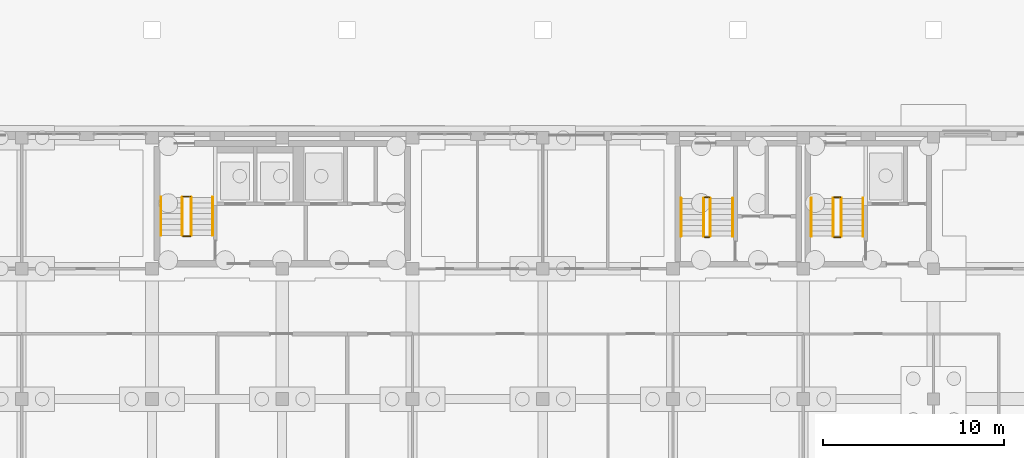
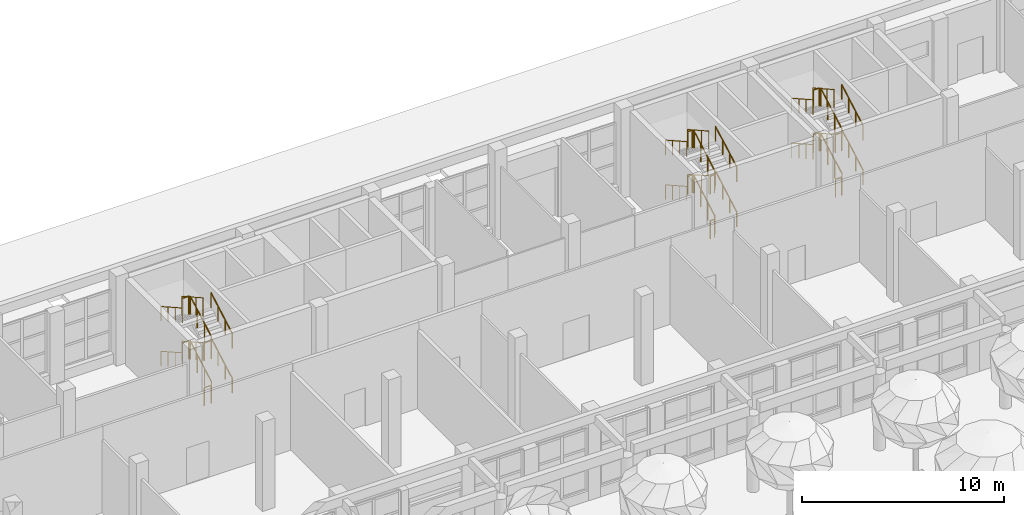
# One storey, part 72 of 80: 36 railings.
"""IFC4 building model written with IfcOpenShell, lengths in metres."""

import ifcopenshell
import ifcopenshell.guid

model = None  # the IFC model being written
_history = None  # IfcOwnerHistory: only IFC2X3 demands one
_inside = {}  # id of a spatial element -> (the spatial element, [elements in it])
_under = {}  # id of a project, library or spatial element -> (it, [spatial elements below it])
_declared = {}  # id of a project -> (the project, [libraries it declares])
_typed = {}  # id of a type object -> (the type object, [elements of that type])
_made_of = {}  # id of a material, layer set ... -> (it, [elements and type objects made of it])


def new_model(schema):
    """Start an empty IFC model of exactly this schema.

    Asked for "IFC4X3", IfcOpenShell would pick the latest addendum, in which some entities
    have other attributes; the version numbers below select the first issue.
    IFC2X3 requires an IfcOwnerHistory on every rooted entity: one is made here for all.
    """
    global model, _history
    if schema == "IFC4X3":
        model = ifcopenshell.file(schema_version=(4, 3, 0, 0))
    else:
        model = ifcopenshell.file(schema=schema)
    _inside.clear()
    _under.clear()
    _declared.clear()
    _typed.clear()
    _made_of.clear()
    _history = None
    if model.schema == "IFC2X3":
        org = make("IfcOrganization", Name="unknown")
        user = make(
            "IfcPersonAndOrganization",
            ThePerson=make("IfcPerson", FamilyName="unknown"),
            TheOrganization=org,
        )
        app = make(
            "IfcApplication",
            ApplicationDeveloper=org,
            Version="unknown",
            ApplicationFullName="unknown",
            ApplicationIdentifier="unknown",
        )
        _history = make(
            "IfcOwnerHistory",
            OwningUser=user,
            OwningApplication=app,
            ChangeAction="ADDED",
            CreationDate=0,
        )
    return model


def make(cls, **values):
    """One entity of the class cls with the attributes given. An attribute that is None is left unset."""
    return model.create_entity(
        cls, **{name: value for name, value in values.items() if value is not None}
    )


def rooted(cls, **values):
    """An entity with a GlobalId (a new one), such as an element, a storey or a relation."""
    return make(cls, GlobalId=ifcopenshell.guid.new(), OwnerHistory=_history, **values)


def si_unit(unit_type, name, prefix=None):
    """IfcSIUnit, for example si_unit("LENGTHUNIT", "METRE", prefix="MILLI")."""
    return make("IfcSIUnit", UnitType=unit_type, Prefix=prefix, Name=name)


def assignment(units):
    """IfcUnitAssignment: the units of a project."""
    return None if units is None else make("IfcUnitAssignment", Units=units)


def point(xyz):
    """IfcCartesianPoint."""
    return None if xyz is None else make("IfcCartesianPoint", Coordinates=xyz)


def direction(xyz):
    """IfcDirection."""
    return None if xyz is None else make("IfcDirection", DirectionRatios=xyz)


def frame(location, z_axis=None, x_axis=None):
    """IfcAxis2Placement3D, a coordinate frame: its origin and axes. An axis left out is left unset."""
    return make(
        "IfcAxis2Placement3D",
        Location=point(location),
        Axis=direction(z_axis),
        RefDirection=direction(x_axis),
    )


def frame_2d(location, x_axis=None):
    """IfcAxis2Placement2D, a coordinate frame in the plane: its origin and x axis."""
    return make(
        "IfcAxis2Placement2D", Location=point(location), RefDirection=direction(x_axis)
    )


def origin():
    """The frame at (0, 0, 0) with its axes left unset."""
    return frame((0.0, 0.0, 0.0))


def origin_2d():
    """The frame at (0, 0) in the plane with its x axis left unset."""
    return frame_2d((0.0, 0.0))


def place(relative_to, where):
    """IfcLocalPlacement: puts the frame where relative to a parent placement (None: the world)."""
    return make(
        "IfcLocalPlacement", PlacementRelTo=relative_to, RelativePlacement=where
    )


def context(
    kind, dimensions, precision=None, world=None, true_north=None, identifier=None
):
    """IfcGeometricRepresentationContext, for example the 3D "Model" context."""
    return make(
        "IfcGeometricRepresentationContext",
        ContextIdentifier=identifier,
        ContextType=kind,
        CoordinateSpaceDimension=dimensions,
        Precision=precision,
        WorldCoordinateSystem=world,
        TrueNorth=true_north,
    )


def subcontext(parent, identifier, kind, view, scale=None):
    """IfcGeometricRepresentationSubContext, for example "Body" below "Model"."""
    return make(
        "IfcGeometricRepresentationSubContext",
        ContextIdentifier=identifier,
        ContextType=kind,
        ParentContext=parent,
        TargetScale=scale,
        TargetView=view,
    )


def project(units=None, contexts=None):
    """IfcProject with its units and contexts."""
    return rooted(
        "IfcProject",
        Name="project",
        RepresentationContexts=contexts,
        UnitsInContext=assignment(units),
    )


def spatial(cls, under=None, at=None, **own):
    """A site, building, storey or space (cls), placed at a placement, below another one or the project."""
    s = rooted(cls, ObjectPlacement=at, **own)
    if under is not None:
        _under.setdefault(under.id(), (under, []))[1].append(s)
    return s


def profile(cls, at=None, kind="AREA", **sizes):
    """A parametric profile (cls). Its sizes go by their IFC names, for example OverallWidth=200.0."""
    return make(cls, ProfileType=kind, Position=at, **sizes)


def circle(**sizes):
    """IfcCircleProfileDef."""
    return profile("IfcCircleProfileDef", **sizes)


def extrude(swept, where, along, depth):
    """IfcExtrudedAreaSolid: the profile swept, set in the frame where, extruded along a direction by depth."""
    return make(
        "IfcExtrudedAreaSolid",
        SweptArea=swept,
        Position=where,
        ExtrudedDirection=direction(along),
        Depth=depth,
    )


def shape(context_of_items, identifier, shape_type, items):
    """IfcShapeRepresentation: the items that make up one representation, for example the "Body"."""
    return make(
        "IfcShapeRepresentation",
        ContextOfItems=context_of_items,
        RepresentationIdentifier=identifier,
        RepresentationType=shape_type,
        Items=items,
    )


def material(Name=None, Category=None):
    """IfcMaterial."""
    return make("IfcMaterial", Name=Name, Category=Category)


def made_of(thing, what):
    """Note that an element or type object is made of a material, layer set ...; save() writes the relation."""
    if what is not None:
        _made_of.setdefault(what.id(), (what, []))[1].append(thing)
    return thing


def type_object(cls, material=None, **own):
    """A type object (cls), such as IfcWallType, which elements share."""
    return made_of(rooted(cls, **own), material)


def element(
    cls,
    number,
    at=None,
    inside=None,
    cuts=None,
    type_object=None,
    material=None,
    context=None,
    identifier="Body",
    shape_type=None,
    held_by="IfcProductDefinitionShape",
    body=None,
    shapes=None,
    **own,
):
    """One element of the class cls, such as IfcWall. Its Tag is "e" and its number.

    at: its placement. inside: the storey or other place that contains it. cuts: it is an
    opening in that element (IfcRelVoidsElement). A single representation is given by context,
    identifier, shape_type and body (its items); several are given by shapes. held_by: the class
    of the entity that holds the representations. save() writes the other relations.
    """
    e = rooted(cls, Tag="e%d" % number, ObjectPlacement=at, **own)
    if body is not None:
        shapes = [shape(context, identifier, shape_type, body)]
    if shapes is not None:
        e.Representation = make(held_by, Representations=shapes)
    if inside is not None:
        _inside.setdefault(inside.id(), (inside, []))[1].append(e)
    if cuts is not None:
        rooted(
            "IfcRelVoidsElement", RelatingBuildingElement=cuts, RelatedOpeningElement=e
        )
    if type_object is not None:
        _typed.setdefault(type_object.id(), (type_object, []))[1].append(e)
    return made_of(e, material)


def aggregate(whole, parts):
    """IfcRelAggregates: a whole, such as a stair, and the parts it consists of."""
    return rooted("IfcRelAggregates", RelatingObject=whole, RelatedObjects=parts)


def save(model, path):
    """Write the relations noted so far, then the file.

    IfcRelAggregates (storeys below a building ...), IfcRelContainedInSpatialStructure (elements
    in a storey), IfcRelDefinesByType, IfcRelAssociatesMaterial and IfcRelDeclares: one each for
    every whole, place, type object, material and project.
    """
    for whole, parts in _under.values():
        aggregate(whole, parts)
    for where, things in _inside.values():
        rooted(
            "IfcRelContainedInSpatialStructure",
            RelatedElements=things,
            RelatingStructure=where,
        )
    for kind, things in _typed.values():
        rooted("IfcRelDefinesByType", RelatedObjects=things, RelatingType=kind)
    for what, things in _made_of.values():
        rooted("IfcRelAssociatesMaterial", RelatedObjects=things, RelatingMaterial=what)
    for by, libraries in _declared.values():
        rooted("IfcRelDeclares", RelatingContext=by, RelatedDefinitions=libraries)
    model.write(path)


model = new_model("IFC4")

# Units and contexts
model_context = context("Model", 3, precision=1e-05, world=origin(), true_north=direction((0.0, 1.0)))
body_context = subcontext(model_context, "Body", "Model", "MODEL_VIEW")
ifc_project = project(units=[si_unit("LENGTHUNIT", "METRE"), si_unit("AREAUNIT", "SQUARE_METRE"), si_unit("VOLUMEUNIT", "CUBIC_METRE"), si_unit("PLANEANGLEUNIT", "RADIAN"), si_unit("MASSUNIT", "GRAM", prefix="KILO")], contexts=[model_context])

# Site, building, storey
site_placement = place(None, origin())
site = spatial("IfcSite", under=ifc_project, at=site_placement, CompositionType="ELEMENT")
building_placement = place(site_placement, origin())
building = spatial("IfcBuilding", under=site, at=building_placement, Name="Ussher Court Research Institute", CompositionType="ELEMENT")
storey_placement = place(building_placement, origin())
storey = spatial("IfcBuildingStorey", under=building, at=storey_placement, Name="L00", CompositionType="ELEMENT", Elevation=0.0)

# Railings
ifc_material_1 = material(Name="Painted steel balustrade", Category="steel")
railing_type_1 = type_object("IfcRailingType", Name="Stair guard 1100 steel balustrade", PredefinedType="GUARDRAIL", material=ifc_material_1)
railing_1_placement = place(storey_placement, frame((84.300048828125, 85.0, 0.168701171875)))
element("IfcRailing", 1, at=railing_1_placement, inside=storey, type_object=railing_type_1, Name="L00 C1 stair guard 1", PredefinedType="GUARDRAIL", context=body_context, shape_type="SweptSolid", body=[
    extrude(circle(Radius=0.02392578125, at=origin_2d()), frame((0.0, 0.0, 1.076171875), z_axis=(0.0, 0.871559301308, 0.490290102189), x_axis=(-1.0, 0.0, 0.0)), (0.0, 0.0, 1.0), 2.40966796875),
    extrude(circle(Radius=0.02099609375, at=origin_2d()), origin(), (0.0, 0.0, 1.0), 1.052001953125),
    extrude(circle(Radius=0.02099609375, at=origin_2d()), frame((0.0, 0.699951171875, 0.393798828125)), (0.0, 0.0, 1.0), 1.052001953125),
    extrude(circle(Radius=0.02099609375, at=origin_2d()), frame((0.0, 1.400146484375, 0.78759765625)), (0.0, 0.0, 1.0), 1.052001953125),
    extrude(circle(Radius=0.02099609375, at=origin_2d()), frame((0.0, 2.10009765625, 1.181396484375)), (0.0, 0.0, 1.0), 1.052001953125),
])
railing_2_placement = place(storey_placement, frame((84.25, 87.14990234375, 1.35009765625)))
element("IfcRailing", 2, at=railing_2_placement, inside=storey, type_object=railing_type_1, Name="L00 C1 stair guard 2", PredefinedType="GUARDRAIL", context=body_context, shape_type="SweptSolid", body=[
    extrude(circle(Radius=0.02392578125, at=origin_2d()), frame((0.0, 0.0, 1.076171875), z_axis=(-1.0, 0.0, 0.0), x_axis=(0.0, -1.0, 0.0)), (0.0, 0.0, 1.0), 0.35009765625),
    extrude(circle(Radius=0.02099609375, at=origin_2d()), origin(), (0.0, 0.0, 1.0), 1.052001953125),
    extrude(circle(Radius=0.02099609375, at=origin_2d()), frame((-0.35009765625, 0.0, 0.0)), (0.0, 0.0, 1.0), 1.052001953125),
])
railing_3_placement = place(storey_placement, frame((83.85009765625, 87.10009765625, 1.518798828125)))
element("IfcRailing", 3, at=railing_3_placement, inside=storey, type_object=railing_type_1, Name="L00 C1 stair guard 3", PredefinedType="GUARDRAIL", context=body_context, shape_type="SweptSolid", body=[
    extrude(circle(Radius=0.02392578125, at=origin_2d()), frame((0.0, 0.0, 1.076171875), z_axis=(0.0, -0.871602596039, 0.490213131788), x_axis=(1.0, 0.0, 0.0)), (0.0, 0.0, 1.0), 2.409423828125),
    extrude(circle(Radius=0.02099609375, at=origin_2d()), origin(), (0.0, 0.0, 1.0), 1.052001953125),
    extrude(circle(Radius=0.02099609375, at=origin_2d()), frame((0.0, -0.699951171875, 0.393798828125)), (0.0, 0.0, 1.0), 1.052001953125),
    extrude(circle(Radius=0.02099609375, at=origin_2d()), frame((0.0, -1.400146484375, 0.787353515625)), (0.0, 0.0, 1.0), 1.052001953125),
    extrude(circle(Radius=0.02099609375, at=origin_2d()), frame((0.0, -2.10009765625, 1.18115234375)), (0.0, 0.0, 1.0), 1.052001953125),
])
railing_4_placement = place(storey_placement, frame((84.25, 84.949951171875, 2.699951171875)))
element("IfcRailing", 4, at=railing_4_placement, inside=storey, type_object=railing_type_1, Name="L00 C1 stair guard 4", PredefinedType="GUARDRAIL", context=body_context, shape_type="SweptSolid", body=[
    extrude(circle(Radius=0.02392578125, at=origin_2d()), frame((0.0, 0.0, 1.076171875), z_axis=(-1.0, 0.0, 0.0), x_axis=(0.0, -1.0, 0.0)), (0.0, 0.0, 1.0), 0.35009765625),
    extrude(circle(Radius=0.02099609375, at=origin_2d()), origin(), (0.0, 0.0, 1.0), 1.052001953125),
    extrude(circle(Radius=0.02099609375, at=origin_2d()), frame((-0.35009765625, 0.0, 0.0)), (0.0, 0.0, 1.0), 1.052001953125),
])
railing_5_placement = place(storey_placement, frame((84.300048828125, 85.0, 2.86865234375)))
element("IfcRailing", 5, at=railing_5_placement, inside=storey, type_object=railing_type_1, Name="L00 C1 stair guard 5", PredefinedType="GUARDRAIL", context=body_context, shape_type="SweptSolid", body=[
    extrude(circle(Radius=0.02392578125, at=origin_2d()), frame((0.0, 0.0, 1.076171875), z_axis=(0.0, 0.871559301308, 0.490290102189), x_axis=(-1.0, 0.0, 0.0)), (0.0, 0.0, 1.0), 2.40966796875),
    extrude(circle(Radius=0.02099609375, at=origin_2d()), origin(), (0.0, 0.0, 1.0), 1.052001953125),
    extrude(circle(Radius=0.02099609375, at=origin_2d()), frame((0.0, 0.699951171875, 0.393798828125)), (0.0, 0.0, 1.0), 1.052001953125),
    extrude(circle(Radius=0.02099609375, at=origin_2d()), frame((0.0, 1.400146484375, 0.78759765625)), (0.0, 0.0, 1.0), 1.052001953125),
    extrude(circle(Radius=0.02099609375, at=origin_2d()), frame((0.0, 2.10009765625, 1.181396484375)), (0.0, 0.0, 1.0), 1.052001953125),
])
railing_6_placement = place(storey_placement, frame((84.25, 87.14990234375, 4.050048828125)))
element("IfcRailing", 6, at=railing_6_placement, inside=storey, type_object=railing_type_1, Name="L00 C1 stair guard 6", PredefinedType="GUARDRAIL", context=body_context, shape_type="SweptSolid", body=[
    extrude(circle(Radius=0.02392578125, at=origin_2d()), frame((0.0, 0.0, 1.076171875), z_axis=(-1.0, 0.0, 0.0), x_axis=(0.0, -1.0, 0.0)), (0.0, 0.0, 1.0), 0.35009765625),
    extrude(circle(Radius=0.02099609375, at=origin_2d()), origin(), (0.0, 0.0, 1.0), 1.052001953125),
    extrude(circle(Radius=0.02099609375, at=origin_2d()), frame((-0.35009765625, 0.0, 0.0)), (0.0, 0.0, 1.0), 1.052001953125),
])
railing_7_placement = place(storey_placement, frame((83.85009765625, 87.10009765625, 4.21875)))
element("IfcRailing", 7, at=railing_7_placement, inside=storey, type_object=railing_type_1, Name="L00 C1 stair guard 7", PredefinedType="GUARDRAIL", context=body_context, shape_type="SweptSolid", body=[
    extrude(circle(Radius=0.02392578125, at=origin_2d()), frame((0.0, 0.0, 1.076171875), z_axis=(0.0, -0.871602596039, 0.490213131788), x_axis=(1.0, 0.0, 0.0)), (0.0, 0.0, 1.0), 2.409423828125),
    extrude(circle(Radius=0.02099609375, at=origin_2d()), origin(), (0.0, 0.0, 1.0), 1.052001953125),
    extrude(circle(Radius=0.02099609375, at=origin_2d()), frame((0.0, -0.699951171875, 0.393798828125)), (0.0, 0.0, 1.0), 1.052001953125),
    extrude(circle(Radius=0.02099609375, at=origin_2d()), frame((0.0, -1.400146484375, 0.787353515625)), (0.0, 0.0, 1.0), 1.052001953125),
    extrude(circle(Radius=0.02099609375, at=origin_2d()), frame((0.0, -2.10009765625, 1.18115234375)), (0.0, 0.0, 1.0), 1.052001953125),
])
railing_8_placement = place(storey_placement, frame((84.25, 84.949951171875, 0.0)))
element("IfcRailing", 8, at=railing_8_placement, inside=storey, type_object=railing_type_1, Name="L00 C1 stair guard 8", PredefinedType="GUARDRAIL", context=body_context, shape_type="SweptSolid", body=[
    extrude(circle(Radius=0.02392578125, at=origin_2d()), frame((0.0, 0.0, 1.076171875), z_axis=(-1.0, 0.0, 0.0), x_axis=(0.0, -1.0, 0.0)), (0.0, 0.0, 1.0), 0.35009765625),
    extrude(circle(Radius=0.02099609375, at=origin_2d()), origin(), (0.0, 0.0, 1.0), 1.052001953125),
    extrude(circle(Radius=0.02099609375, at=origin_2d()), frame((-0.35009765625, 0.0, 0.0)), (0.0, 0.0, 1.0), 1.052001953125),
])
railing_9_placement = place(storey_placement, frame((48.3701171875, 85.050048828125, 0.168701171875)))
element("IfcRailing", 9, at=railing_9_placement, inside=storey, type_object=railing_type_1, Name="L00 D2 stair guard 1", PredefinedType="GUARDRAIL", context=body_context, shape_type="SweptSolid", body=[
    extrude(circle(Radius=0.02392578125, at=origin_2d()), frame((0.0, 0.0, 1.076171875), z_axis=(0.0, 0.871534942205, 0.490333401387), x_axis=(-1.0, 0.0, 0.0)), (0.0, 0.0, 1.0), 2.409423828125),
    extrude(circle(Radius=0.02099609375, at=origin_2d()), origin(), (0.0, 0.0, 1.0), 1.052001953125),
    extrude(circle(Radius=0.02099609375, at=origin_2d()), frame((0.0, 0.699951171875, 0.393798828125)), (0.0, 0.0, 1.0), 1.052001953125),
    extrude(circle(Radius=0.02099609375, at=origin_2d()), frame((0.0, 1.39990234375, 0.78759765625)), (0.0, 0.0, 1.0), 1.052001953125),
    extrude(circle(Radius=0.02099609375, at=origin_2d()), frame((0.0, 2.099853515625, 1.181396484375)), (0.0, 0.0, 1.0), 1.052001953125),
])
railing_10_placement = place(storey_placement, frame((48.320068359375, 87.199951171875, 1.35009765625)))
element("IfcRailing", 10, at=railing_10_placement, inside=storey, type_object=railing_type_1, Name="L00 D2 stair guard 2", PredefinedType="GUARDRAIL", context=body_context, shape_type="SweptSolid", body=[
    extrude(circle(Radius=0.02392578125, at=origin_2d()), frame((0.0, 0.0, 1.076171875), z_axis=(-1.0, 0.0, 0.0), x_axis=(0.0, -1.0, 0.0)), (0.0, 0.0, 1.0), 0.39013671875),
    extrude(circle(Radius=0.02099609375, at=origin_2d()), origin(), (0.0, 0.0, 1.0), 1.052001953125),
    extrude(circle(Radius=0.02099609375, at=origin_2d()), frame((-0.39013671875, 0.0, 0.0)), (0.0, 0.0, 1.0), 1.052001953125),
])
railing_11_placement = place(storey_placement, frame((47.8798828125, 87.14990234375, 1.518798828125)))
element("IfcRailing", 11, at=railing_11_placement, inside=storey, type_object=railing_type_1, Name="L00 D2 stair guard 3", PredefinedType="GUARDRAIL", context=body_context, shape_type="SweptSolid", body=[
    extrude(circle(Radius=0.02392578125, at=origin_2d()), frame((0.0, 0.0, 1.076171875), z_axis=(0.0, -0.871578243375, 0.49025642849), x_axis=(1.0, 0.0, 0.0)), (0.0, 0.0, 1.0), 2.4091796875),
    extrude(circle(Radius=0.02099609375, at=origin_2d()), origin(), (0.0, 0.0, 1.0), 1.052001953125),
    extrude(circle(Radius=0.02099609375, at=origin_2d()), frame((0.0, -0.699951171875, 0.393798828125)), (0.0, 0.0, 1.0), 1.052001953125),
    extrude(circle(Radius=0.02099609375, at=origin_2d()), frame((0.0, -1.39990234375, 0.787353515625)), (0.0, 0.0, 1.0), 1.052001953125),
    extrude(circle(Radius=0.02099609375, at=origin_2d()), frame((0.0, -2.099853515625, 1.18115234375)), (0.0, 0.0, 1.0), 1.052001953125),
])
railing_12_placement = place(storey_placement, frame((48.320068359375, 85.0, 2.699951171875)))
element("IfcRailing", 12, at=railing_12_placement, inside=storey, type_object=railing_type_1, Name="L00 D2 stair guard 4", PredefinedType="GUARDRAIL", context=body_context, shape_type="SweptSolid", body=[
    extrude(circle(Radius=0.02392578125, at=origin_2d()), frame((0.0, 0.0, 1.076171875), z_axis=(-1.0, 0.0, 0.0), x_axis=(0.0, -1.0, 0.0)), (0.0, 0.0, 1.0), 0.39013671875),
    extrude(circle(Radius=0.02099609375, at=origin_2d()), origin(), (0.0, 0.0, 1.0), 1.052001953125),
    extrude(circle(Radius=0.02099609375, at=origin_2d()), frame((-0.39013671875, 0.0, 0.0)), (0.0, 0.0, 1.0), 1.052001953125),
])
railing_13_placement = place(storey_placement, frame((48.3701171875, 85.050048828125, 2.86865234375)))
element("IfcRailing", 13, at=railing_13_placement, inside=storey, type_object=railing_type_1, Name="L00 D2 stair guard 5", PredefinedType="GUARDRAIL", context=body_context, shape_type="SweptSolid", body=[
    extrude(circle(Radius=0.02392578125, at=origin_2d()), frame((0.0, 0.0, 1.076171875), z_axis=(0.0, 0.871534942205, 0.490333401387), x_axis=(-1.0, 0.0, 0.0)), (0.0, 0.0, 1.0), 2.409423828125),
    extrude(circle(Radius=0.02099609375, at=origin_2d()), origin(), (0.0, 0.0, 1.0), 1.052001953125),
    extrude(circle(Radius=0.02099609375, at=origin_2d()), frame((0.0, 0.699951171875, 0.393798828125)), (0.0, 0.0, 1.0), 1.052001953125),
    extrude(circle(Radius=0.02099609375, at=origin_2d()), frame((0.0, 1.39990234375, 0.78759765625)), (0.0, 0.0, 1.0), 1.052001953125),
    extrude(circle(Radius=0.02099609375, at=origin_2d()), frame((0.0, 2.099853515625, 1.181396484375)), (0.0, 0.0, 1.0), 1.052001953125),
])
railing_14_placement = place(storey_placement, frame((48.320068359375, 87.199951171875, 4.050048828125)))
element("IfcRailing", 14, at=railing_14_placement, inside=storey, type_object=railing_type_1, Name="L00 D2 stair guard 6", PredefinedType="GUARDRAIL", context=body_context, shape_type="SweptSolid", body=[
    extrude(circle(Radius=0.02392578125, at=origin_2d()), frame((0.0, 0.0, 1.076171875), z_axis=(-1.0, 0.0, 0.0), x_axis=(0.0, -1.0, 0.0)), (0.0, 0.0, 1.0), 0.39013671875),
    extrude(circle(Radius=0.02099609375, at=origin_2d()), origin(), (0.0, 0.0, 1.0), 1.052001953125),
    extrude(circle(Radius=0.02099609375, at=origin_2d()), frame((-0.39013671875, 0.0, 0.0)), (0.0, 0.0, 1.0), 1.052001953125),
])
railing_15_placement = place(storey_placement, frame((47.8798828125, 87.14990234375, 4.21875)))
element("IfcRailing", 15, at=railing_15_placement, inside=storey, type_object=railing_type_1, Name="L00 D2 stair guard 7", PredefinedType="GUARDRAIL", context=body_context, shape_type="SweptSolid", body=[
    extrude(circle(Radius=0.02392578125, at=origin_2d()), frame((0.0, 0.0, 1.076171875), z_axis=(0.0, -0.871578243375, 0.49025642849), x_axis=(1.0, 0.0, 0.0)), (0.0, 0.0, 1.0), 2.4091796875),
    extrude(circle(Radius=0.02099609375, at=origin_2d()), origin(), (0.0, 0.0, 1.0), 1.052001953125),
    extrude(circle(Radius=0.02099609375, at=origin_2d()), frame((0.0, -0.699951171875, 0.393798828125)), (0.0, 0.0, 1.0), 1.052001953125),
    extrude(circle(Radius=0.02099609375, at=origin_2d()), frame((0.0, -1.39990234375, 0.787353515625)), (0.0, 0.0, 1.0), 1.052001953125),
    extrude(circle(Radius=0.02099609375, at=origin_2d()), frame((0.0, -2.099853515625, 1.18115234375)), (0.0, 0.0, 1.0), 1.052001953125),
])
railing_16_placement = place(storey_placement, frame((48.320068359375, 85.0, 0.0)))
element("IfcRailing", 16, at=railing_16_placement, inside=storey, type_object=railing_type_1, Name="L00 D2 stair guard 8", PredefinedType="GUARDRAIL", context=body_context, shape_type="SweptSolid", body=[
    extrude(circle(Radius=0.02392578125, at=origin_2d()), frame((0.0, 0.0, 1.076171875), z_axis=(-1.0, 0.0, 0.0), x_axis=(0.0, -1.0, 0.0)), (0.0, 0.0, 1.0), 0.39013671875),
    extrude(circle(Radius=0.02099609375, at=origin_2d()), origin(), (0.0, 0.0, 1.0), 1.052001953125),
    extrude(circle(Radius=0.02099609375, at=origin_2d()), frame((-0.39013671875, 0.0, 0.0)), (0.0, 0.0, 1.0), 1.052001953125),
])
railing_17_placement = place(storey_placement, frame((77.050048828125, 85.0, 0.168701171875)))
element("IfcRailing", 17, at=railing_17_placement, inside=storey, type_object=railing_type_1, Name="L00 D3 stair guard 1", PredefinedType="GUARDRAIL", context=body_context, shape_type="SweptSolid", body=[
    extrude(circle(Radius=0.02392578125, at=origin_2d()), frame((0.0, 0.0, 1.076171875), z_axis=(0.0, 0.871559301308, 0.490290102189), x_axis=(-1.0, 0.0, 0.0)), (0.0, 0.0, 1.0), 2.40966796875),
    extrude(circle(Radius=0.02099609375, at=origin_2d()), origin(), (0.0, 0.0, 1.0), 1.052001953125),
    extrude(circle(Radius=0.02099609375, at=origin_2d()), frame((0.0, 0.699951171875, 0.393798828125)), (0.0, 0.0, 1.0), 1.052001953125),
    extrude(circle(Radius=0.02099609375, at=origin_2d()), frame((0.0, 1.400146484375, 0.78759765625)), (0.0, 0.0, 1.0), 1.052001953125),
    extrude(circle(Radius=0.02099609375, at=origin_2d()), frame((0.0, 2.10009765625, 1.181396484375)), (0.0, 0.0, 1.0), 1.052001953125),
])
railing_18_placement = place(storey_placement, frame((77.0, 87.14990234375, 1.35009765625)))
element("IfcRailing", 18, at=railing_18_placement, inside=storey, type_object=railing_type_1, Name="L00 D3 stair guard 2", PredefinedType="GUARDRAIL", context=body_context, shape_type="SweptSolid", body=[
    extrude(circle(Radius=0.02392578125, at=origin_2d()), frame((0.0, 0.0, 1.076171875), z_axis=(-1.0, 0.0, 0.0), x_axis=(0.0, -1.0, 0.0)), (0.0, 0.0, 1.0), 0.25),
    extrude(circle(Radius=0.02099609375, at=origin_2d()), origin(), (0.0, 0.0, 1.0), 1.052001953125),
    extrude(circle(Radius=0.02099609375, at=origin_2d()), frame((-0.25, 0.0, 0.0)), (0.0, 0.0, 1.0), 1.052001953125),
])
railing_19_placement = place(storey_placement, frame((76.699951171875, 87.10009765625, 1.518798828125)))
element("IfcRailing", 19, at=railing_19_placement, inside=storey, type_object=railing_type_1, Name="L00 D3 stair guard 3", PredefinedType="GUARDRAIL", context=body_context, shape_type="SweptSolid", body=[
    extrude(circle(Radius=0.02392578125, at=origin_2d()), frame((0.0, 0.0, 1.076171875), z_axis=(0.0, -0.871602596039, 0.490213131788), x_axis=(1.0, 0.0, 0.0)), (0.0, 0.0, 1.0), 2.409423828125),
    extrude(circle(Radius=0.02099609375, at=origin_2d()), origin(), (0.0, 0.0, 1.0), 1.052001953125),
    extrude(circle(Radius=0.02099609375, at=origin_2d()), frame((0.0, -0.699951171875, 0.393798828125)), (0.0, 0.0, 1.0), 1.052001953125),
    extrude(circle(Radius=0.02099609375, at=origin_2d()), frame((0.0, -1.400146484375, 0.787353515625)), (0.0, 0.0, 1.0), 1.052001953125),
    extrude(circle(Radius=0.02099609375, at=origin_2d()), frame((0.0, -2.10009765625, 1.18115234375)), (0.0, 0.0, 1.0), 1.052001953125),
])
railing_20_placement = place(storey_placement, frame((77.0, 84.949951171875, 2.699951171875)))
element("IfcRailing", 20, at=railing_20_placement, inside=storey, type_object=railing_type_1, Name="L00 D3 stair guard 4", PredefinedType="GUARDRAIL", context=body_context, shape_type="SweptSolid", body=[
    extrude(circle(Radius=0.02392578125, at=origin_2d()), frame((0.0, 0.0, 1.076171875), z_axis=(-1.0, 0.0, 0.0), x_axis=(0.0, -1.0, 0.0)), (0.0, 0.0, 1.0), 0.25),
    extrude(circle(Radius=0.02099609375, at=origin_2d()), origin(), (0.0, 0.0, 1.0), 1.052001953125),
    extrude(circle(Radius=0.02099609375, at=origin_2d()), frame((-0.25, 0.0, 0.0)), (0.0, 0.0, 1.0), 1.052001953125),
])
railing_21_placement = place(storey_placement, frame((77.050048828125, 85.0, 2.86865234375)))
element("IfcRailing", 21, at=railing_21_placement, inside=storey, type_object=railing_type_1, Name="L00 D3 stair guard 5", PredefinedType="GUARDRAIL", context=body_context, shape_type="SweptSolid", body=[
    extrude(circle(Radius=0.02392578125, at=origin_2d()), frame((0.0, 0.0, 1.076171875), z_axis=(0.0, 0.871559301308, 0.490290102189), x_axis=(-1.0, 0.0, 0.0)), (0.0, 0.0, 1.0), 2.40966796875),
    extrude(circle(Radius=0.02099609375, at=origin_2d()), origin(), (0.0, 0.0, 1.0), 1.052001953125),
    extrude(circle(Radius=0.02099609375, at=origin_2d()), frame((0.0, 0.699951171875, 0.393798828125)), (0.0, 0.0, 1.0), 1.052001953125),
    extrude(circle(Radius=0.02099609375, at=origin_2d()), frame((0.0, 1.400146484375, 0.78759765625)), (0.0, 0.0, 1.0), 1.052001953125),
    extrude(circle(Radius=0.02099609375, at=origin_2d()), frame((0.0, 2.10009765625, 1.181396484375)), (0.0, 0.0, 1.0), 1.052001953125),
])
railing_22_placement = place(storey_placement, frame((77.0, 87.14990234375, 4.050048828125)))
element("IfcRailing", 22, at=railing_22_placement, inside=storey, type_object=railing_type_1, Name="L00 D3 stair guard 6", PredefinedType="GUARDRAIL", context=body_context, shape_type="SweptSolid", body=[
    extrude(circle(Radius=0.02392578125, at=origin_2d()), frame((0.0, 0.0, 1.076171875), z_axis=(-1.0, 0.0, 0.0), x_axis=(0.0, -1.0, 0.0)), (0.0, 0.0, 1.0), 0.25),
    extrude(circle(Radius=0.02099609375, at=origin_2d()), origin(), (0.0, 0.0, 1.0), 1.052001953125),
    extrude(circle(Radius=0.02099609375, at=origin_2d()), frame((-0.25, 0.0, 0.0)), (0.0, 0.0, 1.0), 1.052001953125),
])
railing_23_placement = place(storey_placement, frame((76.699951171875, 87.10009765625, 4.21875)))
element("IfcRailing", 23, at=railing_23_placement, inside=storey, type_object=railing_type_1, Name="L00 D3 stair guard 7", PredefinedType="GUARDRAIL", context=body_context, shape_type="SweptSolid", body=[
    extrude(circle(Radius=0.02392578125, at=origin_2d()), frame((0.0, 0.0, 1.076171875), z_axis=(0.0, -0.871602596039, 0.490213131788), x_axis=(1.0, 0.0, 0.0)), (0.0, 0.0, 1.0), 2.409423828125),
    extrude(circle(Radius=0.02099609375, at=origin_2d()), origin(), (0.0, 0.0, 1.0), 1.052001953125),
    extrude(circle(Radius=0.02099609375, at=origin_2d()), frame((0.0, -0.699951171875, 0.393798828125)), (0.0, 0.0, 1.0), 1.052001953125),
    extrude(circle(Radius=0.02099609375, at=origin_2d()), frame((0.0, -1.400146484375, 0.787353515625)), (0.0, 0.0, 1.0), 1.052001953125),
    extrude(circle(Radius=0.02099609375, at=origin_2d()), frame((0.0, -2.10009765625, 1.18115234375)), (0.0, 0.0, 1.0), 1.052001953125),
])
railing_24_placement = place(storey_placement, frame((77.0, 84.949951171875, 0.0)))
element("IfcRailing", 24, at=railing_24_placement, inside=storey, type_object=railing_type_1, Name="L00 D3 stair guard 8", PredefinedType="GUARDRAIL", context=body_context, shape_type="SweptSolid", body=[
    extrude(circle(Radius=0.02392578125, at=origin_2d()), frame((0.0, 0.0, 1.076171875), z_axis=(-1.0, 0.0, 0.0), x_axis=(0.0, -1.0, 0.0)), (0.0, 0.0, 1.0), 0.25),
    extrude(circle(Radius=0.02099609375, at=origin_2d()), origin(), (0.0, 0.0, 1.0), 1.052001953125),
    extrude(circle(Radius=0.02099609375, at=origin_2d()), frame((-0.25, 0.0, 0.0)), (0.0, 0.0, 1.0), 1.052001953125),
])
ifc_material_2 = material(Name="Painted steel handrail", Category="steel")
railing_type_2 = type_object("IfcRailingType", Name="Stair handrail 900 steel", PredefinedType="HANDRAIL", material=ifc_material_2)
railing_25_placement = place(storey_placement, frame((85.5, 85.0, 0.168701171875)))
element("IfcRailing", 25, at=railing_25_placement, inside=storey, type_object=railing_type_2, Name="L00 C1 stair handrail 1", PredefinedType="HANDRAIL", context=body_context, shape_type="SweptSolid", body=[
    extrude(circle(Radius=0.02392578125, at=origin_2d()), frame((0.0, 0.0, 0.8759765625), z_axis=(0.0, 0.871559301308, 0.490290102189), x_axis=(-1.0, 0.0, 0.0)), (0.0, 0.0, 1.0), 2.40966796875),
    extrude(circle(Radius=0.02099609375, at=origin_2d()), origin(), (0.0, 0.0, 1.0), 0.851806640625),
    extrude(circle(Radius=0.02099609375, at=origin_2d()), frame((0.0, 0.699951171875, 0.393798828125)), (0.0, 0.0, 1.0), 0.851806640625),
    extrude(circle(Radius=0.02099609375, at=origin_2d()), frame((0.0, 1.400146484375, 0.78759765625)), (0.0, 0.0, 1.0), 0.851806640625),
    extrude(circle(Radius=0.02099609375, at=origin_2d()), frame((0.0, 2.10009765625, 1.181396484375)), (0.0, 0.0, 1.0), 0.851806640625),
])
railing_26_placement = place(storey_placement, frame((82.64990234375, 87.10009765625, 1.518798828125)))
element("IfcRailing", 26, at=railing_26_placement, inside=storey, type_object=railing_type_2, Name="L00 C1 stair handrail 2", PredefinedType="HANDRAIL", context=body_context, shape_type="SweptSolid", body=[
    extrude(circle(Radius=0.02392578125, at=origin_2d()), frame((0.0, 0.0, 0.8759765625), z_axis=(0.0, -0.871602596039, 0.490213131788), x_axis=(1.0, 0.0, 0.0)), (0.0, 0.0, 1.0), 2.409423828125),
    extrude(circle(Radius=0.02099609375, at=origin_2d()), origin(), (0.0, 0.0, 1.0), 0.851806640625),
    extrude(circle(Radius=0.02099609375, at=origin_2d()), frame((0.0, -0.699951171875, 0.393798828125)), (0.0, 0.0, 1.0), 0.851806640625),
    extrude(circle(Radius=0.02099609375, at=origin_2d()), frame((0.0, -1.400146484375, 0.787353515625)), (0.0, 0.0, 1.0), 0.851806640625),
    extrude(circle(Radius=0.02099609375, at=origin_2d()), frame((0.0, -2.10009765625, 1.18115234375)), (0.0, 0.0, 1.0), 0.851806640625),
])
railing_27_placement = place(storey_placement, frame((85.5, 85.0, 2.86865234375)))
element("IfcRailing", 27, at=railing_27_placement, inside=storey, type_object=railing_type_2, Name="L00 C1 stair handrail 3", PredefinedType="HANDRAIL", context=body_context, shape_type="SweptSolid", body=[
    extrude(circle(Radius=0.02392578125, at=origin_2d()), frame((0.0, 0.0, 0.8759765625), z_axis=(0.0, 0.871559301308, 0.490290102189), x_axis=(-1.0, 0.0, 0.0)), (0.0, 0.0, 1.0), 2.40966796875),
    extrude(circle(Radius=0.02099609375, at=origin_2d()), origin(), (0.0, 0.0, 1.0), 0.851806640625),
    extrude(circle(Radius=0.02099609375, at=origin_2d()), frame((0.0, 0.699951171875, 0.393798828125)), (0.0, 0.0, 1.0), 0.851806640625),
    extrude(circle(Radius=0.02099609375, at=origin_2d()), frame((0.0, 1.400146484375, 0.78759765625)), (0.0, 0.0, 1.0), 0.851806640625),
    extrude(circle(Radius=0.02099609375, at=origin_2d()), frame((0.0, 2.10009765625, 1.181396484375)), (0.0, 0.0, 1.0), 0.851806640625),
])
railing_28_placement = place(storey_placement, frame((82.64990234375, 87.10009765625, 4.21875)))
element("IfcRailing", 28, at=railing_28_placement, inside=storey, type_object=railing_type_2, Name="L00 C1 stair handrail 4", PredefinedType="HANDRAIL", context=body_context, shape_type="SweptSolid", body=[
    extrude(circle(Radius=0.02392578125, at=origin_2d()), frame((0.0, 0.0, 0.8759765625), z_axis=(0.0, -0.871602596039, 0.490213131788), x_axis=(1.0, 0.0, 0.0)), (0.0, 0.0, 1.0), 2.409423828125),
    extrude(circle(Radius=0.02099609375, at=origin_2d()), origin(), (0.0, 0.0, 1.0), 0.851806640625),
    extrude(circle(Radius=0.02099609375, at=origin_2d()), frame((0.0, -0.699951171875, 0.393798828125)), (0.0, 0.0, 1.0), 0.851806640625),
    extrude(circle(Radius=0.02099609375, at=origin_2d()), frame((0.0, -1.400146484375, 0.787353515625)), (0.0, 0.0, 1.0), 0.851806640625),
    extrude(circle(Radius=0.02099609375, at=origin_2d()), frame((0.0, -2.10009765625, 1.18115234375)), (0.0, 0.0, 1.0), 0.851806640625),
])
railing_29_placement = place(storey_placement, frame((49.550048828125, 85.050048828125, 0.168701171875)))
element("IfcRailing", 29, at=railing_29_placement, inside=storey, type_object=railing_type_2, Name="L00 D2 stair handrail 1", PredefinedType="HANDRAIL", context=body_context, shape_type="SweptSolid", body=[
    extrude(circle(Radius=0.02392578125, at=origin_2d()), frame((0.0, 0.0, 0.8759765625), z_axis=(0.0, 0.871534942205, 0.490333401387), x_axis=(-1.0, 0.0, 0.0)), (0.0, 0.0, 1.0), 2.409423828125),
    extrude(circle(Radius=0.02099609375, at=origin_2d()), origin(), (0.0, 0.0, 1.0), 0.851806640625),
    extrude(circle(Radius=0.02099609375, at=origin_2d()), frame((0.0, 0.699951171875, 0.393798828125)), (0.0, 0.0, 1.0), 0.851806640625),
    extrude(circle(Radius=0.02099609375, at=origin_2d()), frame((0.0, 1.39990234375, 0.78759765625)), (0.0, 0.0, 1.0), 0.851806640625),
    extrude(circle(Radius=0.02099609375, at=origin_2d()), frame((0.0, 2.099853515625, 1.181396484375)), (0.0, 0.0, 1.0), 0.851806640625),
])
railing_30_placement = place(storey_placement, frame((46.699951171875, 87.14990234375, 1.518798828125)))
element("IfcRailing", 30, at=railing_30_placement, inside=storey, type_object=railing_type_2, Name="L00 D2 stair handrail 2", PredefinedType="HANDRAIL", context=body_context, shape_type="SweptSolid", body=[
    extrude(circle(Radius=0.02392578125, at=origin_2d()), frame((0.0, 0.0, 0.8759765625), z_axis=(0.0, -0.871578243375, 0.49025642849), x_axis=(1.0, 0.0, 0.0)), (0.0, 0.0, 1.0), 2.4091796875),
    extrude(circle(Radius=0.02099609375, at=origin_2d()), origin(), (0.0, 0.0, 1.0), 0.851806640625),
    extrude(circle(Radius=0.02099609375, at=origin_2d()), frame((0.0, -0.699951171875, 0.393798828125)), (0.0, 0.0, 1.0), 0.851806640625),
    extrude(circle(Radius=0.02099609375, at=origin_2d()), frame((0.0, -1.39990234375, 0.787353515625)), (0.0, 0.0, 1.0), 0.851806640625),
    extrude(circle(Radius=0.02099609375, at=origin_2d()), frame((0.0, -2.099853515625, 1.18115234375)), (0.0, 0.0, 1.0), 0.851806640625),
])
railing_31_placement = place(storey_placement, frame((49.550048828125, 85.050048828125, 2.86865234375)))
element("IfcRailing", 31, at=railing_31_placement, inside=storey, type_object=railing_type_2, Name="L00 D2 stair handrail 3", PredefinedType="HANDRAIL", context=body_context, shape_type="SweptSolid", body=[
    extrude(circle(Radius=0.02392578125, at=origin_2d()), frame((0.0, 0.0, 0.8759765625), z_axis=(0.0, 0.871534942205, 0.490333401387), x_axis=(-1.0, 0.0, 0.0)), (0.0, 0.0, 1.0), 2.409423828125),
    extrude(circle(Radius=0.02099609375, at=origin_2d()), origin(), (0.0, 0.0, 1.0), 0.851806640625),
    extrude(circle(Radius=0.02099609375, at=origin_2d()), frame((0.0, 0.699951171875, 0.393798828125)), (0.0, 0.0, 1.0), 0.851806640625),
    extrude(circle(Radius=0.02099609375, at=origin_2d()), frame((0.0, 1.39990234375, 0.78759765625)), (0.0, 0.0, 1.0), 0.851806640625),
    extrude(circle(Radius=0.02099609375, at=origin_2d()), frame((0.0, 2.099853515625, 1.181396484375)), (0.0, 0.0, 1.0), 0.851806640625),
])
railing_32_placement = place(storey_placement, frame((46.699951171875, 87.14990234375, 4.21875)))
element("IfcRailing", 32, at=railing_32_placement, inside=storey, type_object=railing_type_2, Name="L00 D2 stair handrail 4", PredefinedType="HANDRAIL", context=body_context, shape_type="SweptSolid", body=[
    extrude(circle(Radius=0.02392578125, at=origin_2d()), frame((0.0, 0.0, 0.8759765625), z_axis=(0.0, -0.871578243375, 0.49025642849), x_axis=(1.0, 0.0, 0.0)), (0.0, 0.0, 1.0), 2.4091796875),
    extrude(circle(Radius=0.02099609375, at=origin_2d()), origin(), (0.0, 0.0, 1.0), 0.851806640625),
    extrude(circle(Radius=0.02099609375, at=origin_2d()), frame((0.0, -0.699951171875, 0.393798828125)), (0.0, 0.0, 1.0), 0.851806640625),
    extrude(circle(Radius=0.02099609375, at=origin_2d()), frame((0.0, -1.39990234375, 0.787353515625)), (0.0, 0.0, 1.0), 0.851806640625),
    extrude(circle(Radius=0.02099609375, at=origin_2d()), frame((0.0, -2.099853515625, 1.18115234375)), (0.0, 0.0, 1.0), 0.851806640625),
])
railing_33_placement = place(storey_placement, frame((78.300048828125, 85.0, 0.168701171875)))
element("IfcRailing", 33, at=railing_33_placement, inside=storey, type_object=railing_type_2, Name="L00 D3 stair handrail 1", PredefinedType="HANDRAIL", context=body_context, shape_type="SweptSolid", body=[
    extrude(circle(Radius=0.02392578125, at=origin_2d()), frame((0.0, 0.0, 0.8759765625), z_axis=(0.0, 0.871559301308, 0.490290102189), x_axis=(-1.0, 0.0, 0.0)), (0.0, 0.0, 1.0), 2.40966796875),
    extrude(circle(Radius=0.02099609375, at=origin_2d()), origin(), (0.0, 0.0, 1.0), 0.851806640625),
    extrude(circle(Radius=0.02099609375, at=origin_2d()), frame((0.0, 0.699951171875, 0.393798828125)), (0.0, 0.0, 1.0), 0.851806640625),
    extrude(circle(Radius=0.02099609375, at=origin_2d()), frame((0.0, 1.400146484375, 0.78759765625)), (0.0, 0.0, 1.0), 0.851806640625),
    extrude(circle(Radius=0.02099609375, at=origin_2d()), frame((0.0, 2.10009765625, 1.181396484375)), (0.0, 0.0, 1.0), 0.851806640625),
])
railing_34_placement = place(storey_placement, frame((75.449951171875, 87.10009765625, 1.518798828125)))
element("IfcRailing", 34, at=railing_34_placement, inside=storey, type_object=railing_type_2, Name="L00 D3 stair handrail 2", PredefinedType="HANDRAIL", context=body_context, shape_type="SweptSolid", body=[
    extrude(circle(Radius=0.02392578125, at=origin_2d()), frame((0.0, 0.0, 0.8759765625), z_axis=(0.0, -0.871602596039, 0.490213131788), x_axis=(1.0, 0.0, 0.0)), (0.0, 0.0, 1.0), 2.409423828125),
    extrude(circle(Radius=0.02099609375, at=origin_2d()), origin(), (0.0, 0.0, 1.0), 0.851806640625),
    extrude(circle(Radius=0.02099609375, at=origin_2d()), frame((0.0, -0.699951171875, 0.393798828125)), (0.0, 0.0, 1.0), 0.851806640625),
    extrude(circle(Radius=0.02099609375, at=origin_2d()), frame((0.0, -1.400146484375, 0.787353515625)), (0.0, 0.0, 1.0), 0.851806640625),
    extrude(circle(Radius=0.02099609375, at=origin_2d()), frame((0.0, -2.10009765625, 1.18115234375)), (0.0, 0.0, 1.0), 0.851806640625),
])
railing_35_placement = place(storey_placement, frame((78.300048828125, 85.0, 2.86865234375)))
element("IfcRailing", 35, at=railing_35_placement, inside=storey, type_object=railing_type_2, Name="L00 D3 stair handrail 3", PredefinedType="HANDRAIL", context=body_context, shape_type="SweptSolid", body=[
    extrude(circle(Radius=0.02392578125, at=origin_2d()), frame((0.0, 0.0, 0.8759765625), z_axis=(0.0, 0.871559301308, 0.490290102189), x_axis=(-1.0, 0.0, 0.0)), (0.0, 0.0, 1.0), 2.40966796875),
    extrude(circle(Radius=0.02099609375, at=origin_2d()), origin(), (0.0, 0.0, 1.0), 0.851806640625),
    extrude(circle(Radius=0.02099609375, at=origin_2d()), frame((0.0, 0.699951171875, 0.393798828125)), (0.0, 0.0, 1.0), 0.851806640625),
    extrude(circle(Radius=0.02099609375, at=origin_2d()), frame((0.0, 1.400146484375, 0.78759765625)), (0.0, 0.0, 1.0), 0.851806640625),
    extrude(circle(Radius=0.02099609375, at=origin_2d()), frame((0.0, 2.10009765625, 1.181396484375)), (0.0, 0.0, 1.0), 0.851806640625),
])
railing_36_placement = place(storey_placement, frame((75.449951171875, 87.10009765625, 4.21875)))
element("IfcRailing", 36, at=railing_36_placement, inside=storey, type_object=railing_type_2, Name="L00 D3 stair handrail 4", PredefinedType="HANDRAIL", context=body_context, shape_type="SweptSolid", body=[
    extrude(circle(Radius=0.02392578125, at=origin_2d()), frame((0.0, 0.0, 0.8759765625), z_axis=(0.0, -0.871602596039, 0.490213131788), x_axis=(1.0, 0.0, 0.0)), (0.0, 0.0, 1.0), 2.409423828125),
    extrude(circle(Radius=0.02099609375, at=origin_2d()), origin(), (0.0, 0.0, 1.0), 0.851806640625),
    extrude(circle(Radius=0.02099609375, at=origin_2d()), frame((0.0, -0.699951171875, 0.393798828125)), (0.0, 0.0, 1.0), 0.851806640625),
    extrude(circle(Radius=0.02099609375, at=origin_2d()), frame((0.0, -1.400146484375, 0.787353515625)), (0.0, 0.0, 1.0), 0.851806640625),
    extrude(circle(Radius=0.02099609375, at=origin_2d()), frame((0.0, -2.10009765625, 1.18115234375)), (0.0, 0.0, 1.0), 0.851806640625),
])

save(model, "model.ifc")
